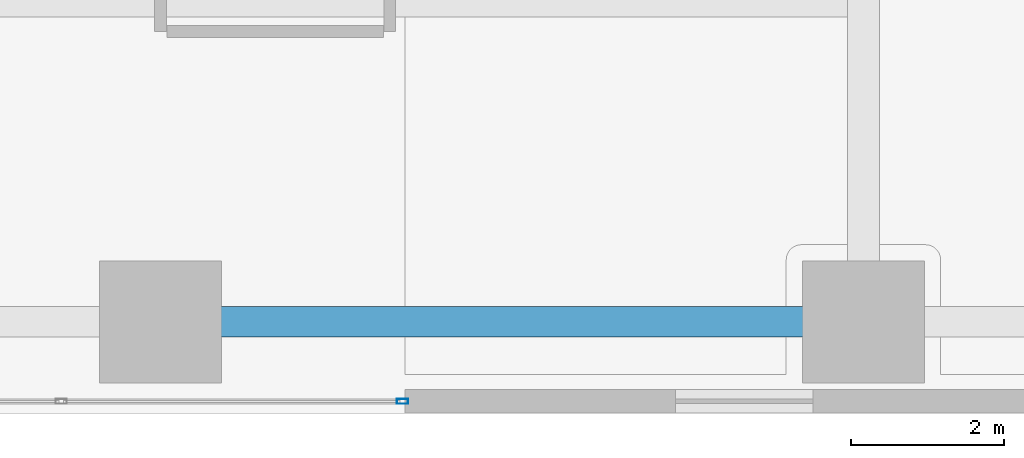
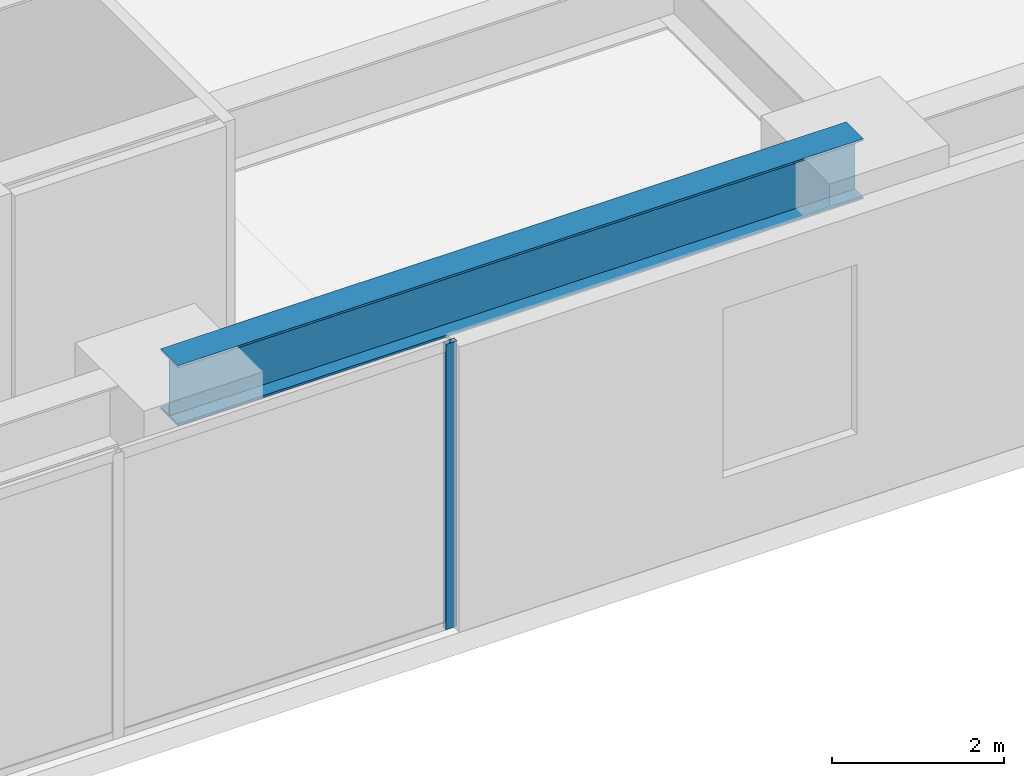
# One storey, part 6 of 25: 1 beam, 1 member, 1 element without a shape of its own.
"""IFC4 building model written with IfcOpenShell, lengths in metres."""

from ifc_helpers import new_model, si_unit, direction, frame, origin, origin_2d, place, context, subcontext, project, spatial, hollow_rectangle, i_section, extrude, source, transform, mapped, material, layer, layer_set, material_profile, profile_set, type_object, type_shapes, element, aggregate, save


model = new_model("IFC4")

# Units and contexts
model_context = context("Model", 3, precision=1e-05, world=origin(), true_north=direction((0.0, 1.0)))
body_context = subcontext(model_context, "Body", "Model", "MODEL_VIEW")
ifc_project = project(units=[si_unit("LENGTHUNIT", "METRE"), si_unit("AREAUNIT", "SQUARE_METRE"), si_unit("VOLUMEUNIT", "CUBIC_METRE"), si_unit("PLANEANGLEUNIT", "RADIAN"), si_unit("MASSUNIT", "GRAM", prefix="KILO")], contexts=[model_context])

# Site, building, storey
site_placement = place(None, origin())
site = spatial("IfcSite", under=ifc_project, at=site_placement, CompositionType="ELEMENT")
building_placement = place(site_placement, origin())
building = spatial("IfcBuilding", under=site, at=building_placement, Name="Talar Marvaseh", CompositionType="ELEMENT")
storey_placement = place(building_placement, frame((0.0, 0.0, 5.199951171875)))
storey = spatial("IfcBuildingStorey", under=building, at=storey_placement, Name="L01", CompositionType="ELEMENT", Elevation=5.199951171875)

# Beam
ifc_material_1 = material(Name="Steel S355", Category="steel")
ifc_material_profile_1 = material_profile(ifc_material_1, i_section(OverallWidth=0.39990234375, OverallDepth=0.85498046875, WebThickness=0.018310546875, FlangeThickness=0.029296875, at=origin_2d()), Name="W840x299")
ifc_profile_set_1 = profile_set([ifc_material_profile_1], Name="Steel S355")
beam_type = type_object("IfcBeamType", Name="Concourse Primary Girder W840x299", PredefinedType="BEAM", material=ifc_profile_set_1)
beam_placement = place(storey_placement, frame((32.800048828125, 9.199951171875, 3.87255859375), z_axis=(1.0, 0.0, 0.0), x_axis=(0.0, 1.0, 0.0)))
element("IfcBeam", 1, at=beam_placement, inside=storey, type_object=beam_type, Name="L01 Concourse Primary Girder W840x299", PredefinedType="BEAM", context=body_context, shape_type="SweptSolid", body=[
    extrude(i_section(OverallWidth=0.39990234375, OverallDepth=0.85498046875, WebThickness=0.018310546875, FlangeThickness=0.029296875, at=origin_2d()), origin(), (0.0, 0.0, 1.0), 9.199951171875),
])

# Curtain wall, member
ifc_material_2 = material(Name="Architectural Aluminium", Category="aluminium")
ifc_layer = layer(ifc_material_2, 0.25)
ifc_layer_set = layer_set([ifc_layer], Name="Architectural Aluminium")
curtain_wall_type = type_object("IfcCurtainWallType", Name="Station Podium Monumental Iwan Curtain Wall", PredefinedType="NOTDEFINED", material=ifc_layer_set)
curtain_wall_placement = place(storey_placement, origin())
curtain_wall = element("IfcCurtainWall", 2, at=curtain_wall_placement, inside=storey, type_object=curtain_wall_type, Name="L01 Station Podium Monumental Iwan Curtain Wall", PredefinedType="NOTDEFINED")
ifc_material_profile_2 = material_profile(ifc_material_2, hollow_rectangle(XDim=0.06494140625, YDim=0.14990234375, WallThickness=0.00390625, at=origin_2d()), Name="RHS150x65x4")
ifc_profile_set_2 = profile_set([ifc_material_profile_2], Name="Architectural Aluminium")
member_type = type_object("IfcMemberType", Name="Unitised Curtain Wall Slim Mullion RHS150x65x4", PredefinedType="MULLION", material=ifc_profile_set_2)
shared_shape = source(origin(), body_context, "Body", "SweptSolid", [
    extrude(hollow_rectangle(XDim=0.06494140625, YDim=0.14990234375, WallThickness=0.00390625, at=origin_2d()), origin(), (0.0, 0.0, 1.0), 4.050048828125),
])
type_shapes(member_type, [shared_shape])
member_placement = place(storey_placement, frame((35.967529296875, 8.159912109375, 0.0), z_axis=(0.0, 0.0, 1.0), x_axis=(0.0, -1.0, 0.0)))
member = element("IfcMember", 3, at=member_placement, type_object=member_type, Name="CW-POD mullion 1", PredefinedType="MULLION", context=body_context, shape_type="MappedRepresentation", body=[
    mapped(shared_shape, transform((0.0, 0.0, 0.0), x_axis=(1.0, 0.0, 0.0), y_axis=(0.0, 1.0, 0.0), z_axis=(0.0, 0.0, 1.0), scale=1.0)),
])
aggregate(curtain_wall, [member])

save(model, "model.ifc")
